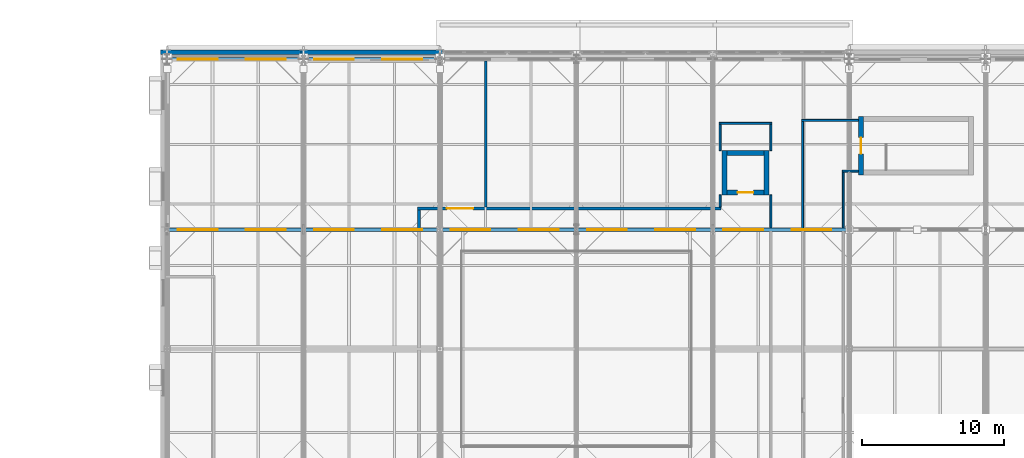
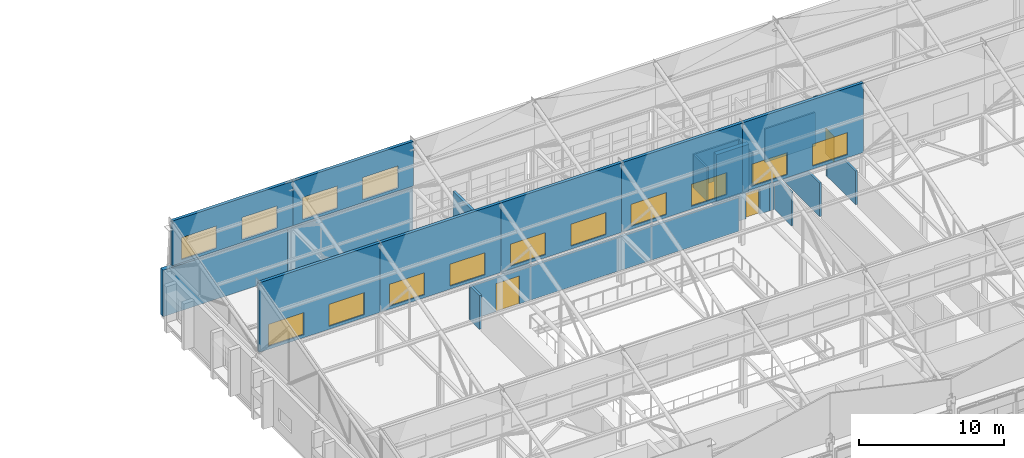
# One storey, part 81 of 89: 26 walls, 14 windows, 3 doors, 17 openings.
"""IFC4 building model written with IfcOpenShell, lengths in metres."""

from ifc_helpers import new_model, si_unit, direction, frame, frame_2d, origin, place, context, subcontext, project, spatial, rectangle, extrude, material, layer, layer_set, type_object, element, fill, save


model = new_model("IFC4")

# Units and contexts
model_context = context("Model", 3, precision=1e-05, world=origin(), true_north=direction((0.0, 1.0)))
body_context = subcontext(model_context, "Body", "Model", "MODEL_VIEW")
ifc_project = project(units=[si_unit("LENGTHUNIT", "METRE"), si_unit("AREAUNIT", "SQUARE_METRE"), si_unit("VOLUMEUNIT", "CUBIC_METRE"), si_unit("PLANEANGLEUNIT", "RADIAN"), si_unit("MASSUNIT", "GRAM", prefix="KILO")], contexts=[model_context])

# Site, building, storey
site_placement = place(None, origin())
site = spatial("IfcSite", under=ifc_project, at=site_placement, CompositionType="ELEMENT")
building_placement = place(site_placement, origin())
building = spatial("IfcBuilding", under=site, at=building_placement, Name="Zereglee Splitstone Museum", CompositionType="ELEMENT")
storey_placement = place(building_placement, frame((0.0, 0.0, 21.300048828125)))
storey = spatial("IfcBuildingStorey", under=building, at=storey_placement, Name="L04", CompositionType="ELEMENT", Elevation=21.300048828125)

# Wall, opening, door
ifc_material_1 = material(Name="Concrete C45/55", Category="concrete")
ifc_layer_1 = layer(ifc_material_1, 0.360107421875)
ifc_layer_set_1 = layer_set([ifc_layer_1], Name="Concrete C45/55")
wall_type_1 = type_object("IfcWallType", Name="CSW-02", PredefinedType="SHEAR", material=ifc_layer_set_1)
wall_1_placement = place(storey_placement, frame((126.820068359375, 42.239990234375, 0.0), z_axis=(0.0, 0.0, 1.0), x_axis=(0.0, 1.0, 0.0)))
wall_1 = element("IfcWall", 1, at=wall_1_placement, inside=storey, type_object=wall_type_1, Name="Stair Core Shear Wall ST-03 L04 West", PredefinedType="SHEAR", context=body_context, shape_type="SweptSolid", body=[
    extrude(rectangle(XDim=4.1201171875, YDim=0.360107421875, at=frame_2d((2.06005859375, 0.0))), origin(), (0.0, 0.0, 1.0), 3.949951171875),
])
opening_1_placement = place(wall_1_placement, frame((1.485107421875, 0.0, 0.0)))
opening_1 = element("IfcOpeningElement", 2, at=opening_1_placement, cuts=wall_1, Name="Opening ID-03", PredefinedType="OPENING", context=body_context, shape_type="SweptSolid", body=[
    extrude(rectangle(XDim=1.14990234375, YDim=2.14990234375, at=frame_2d((0.574951171875, 1.074951171875))), frame((0.0, 0.19482421875, 0.0), z_axis=(0.0, -1.0, 0.0), x_axis=(1.0, 0.0, 0.0)), (0.0, 0.0, 1.0), 0.389892578125),
])
ifc_material_2 = material(Name="Fire-rated steel and Siberian larch leaf", Category="steel")
door_type_1 = type_object("IfcDoorType", Name="ID-03", OperationType="NOTDEFINED", PredefinedType="DOOR", material=ifc_material_2)
door_1_placement = place(opening_1_placement, origin())
door_1 = element("IfcDoor", 3, at=door_1_placement, inside=storey, type_object=door_type_1, Name="Protected Stair Fire Door ST-03 L04", OperationType="SINGLE_SWING_RIGHT", OverallHeight=2.14990234375, OverallWidth=1.14990234375, PredefinedType="DOOR", context=body_context, shape_type="SweptSolid", body=[
    extrude(rectangle(XDim=1.14990234375, YDim=2.14990234375, at=frame_2d((0.574951171875, 1.074951171875))), frame((0.0, 0.02490234375, 0.0), z_axis=(0.0, -1.0, 0.0), x_axis=(1.0, 0.0, 0.0)), (0.0, 0.0, 1.0), 0.050048828125),
])
fill(opening_1, door_1)

# Wall
wall_2_placement = place(storey_placement, frame((117.39990234375, 43.780029296875, 0.0), z_axis=(0.0, 0.0, 1.0), x_axis=(1.0, 0.0, 0.0)))
element("IfcWall", 4, at=wall_2_placement, inside=storey, type_object=wall_type_1, Name="Lift Shaft Wall PL-02 L04 North", PredefinedType="SHEAR", context=body_context, shape_type="SweptSolid", body=[
    extrude(rectangle(XDim=2.60009765625, YDim=0.360107421875, at=frame_2d((1.300048828125, 0.0))), origin(), (0.0, 0.0, 1.0), 3.949951171875),
])

# Wall, opening, door
wall_3_placement = place(storey_placement, frame((117.39990234375, 41.02001953125, 0.0), z_axis=(0.0, 0.0, 1.0), x_axis=(1.0, 0.0, 0.0)))
wall_3 = element("IfcWall", 5, at=wall_3_placement, inside=storey, type_object=wall_type_1, Name="Lift Shaft Wall PL-02 L04 South", PredefinedType="SHEAR", context=body_context, shape_type="SweptSolid", body=[
    extrude(rectangle(XDim=2.60009765625, YDim=0.360107421875, at=frame_2d((1.300048828125, 0.0))), origin(), (0.0, 0.0, 1.0), 3.949951171875),
])
opening_2_placement = place(wall_3_placement, frame((0.75, 0.0, 0.0)))
opening_2 = element("IfcOpeningElement", 6, at=opening_2_placement, cuts=wall_3, Name="Opening LD-01", PredefinedType="OPENING", context=body_context, shape_type="SweptSolid", body=[
    extrude(rectangle(XDim=1.10009765625, YDim=2.14990234375, at=frame_2d((0.550048828125, 1.074951171875))), frame((0.0, 0.19482421875, 0.0), z_axis=(0.0, -1.0, 0.0), x_axis=(1.0, 0.0, 0.0)), (0.0, 0.0, 1.0), 0.389892578125),
])
door_type_2 = type_object("IfcDoorType", Name="LD-01", OperationType="DOUBLE_DOOR_SLIDING", PredefinedType="DOOR", material=ifc_material_2)
door_2_placement = place(opening_2_placement, origin())
door_2 = element("IfcDoor", 7, at=door_2_placement, inside=storey, type_object=door_type_2, Name="Lift Landing Sliding Door PL-02 L04", OperationType="DOUBLE_DOOR_SLIDING", OverallHeight=2.14990234375, OverallWidth=1.10009765625, PredefinedType="DOOR", context=body_context, shape_type="SweptSolid", body=[
    extrude(rectangle(XDim=1.10009765625, YDim=2.14990234375, at=frame_2d((0.550048828125, 1.074951171875))), frame((0.0, 0.02490234375, 0.0), z_axis=(0.0, -1.0, 0.0), x_axis=(1.0, 0.0, 0.0)), (0.0, 0.0, 1.0), 0.050048828125),
])
fill(opening_2, door_2)

# Walls
for number, where, z_axis, x_axis, name in (
    (8, (117.219970703125, 40.840087890625, 0.0), (0.0, 0.0, 1.0), (0.0, 1.0, 0.0), "Lift Shaft Wall PL-02 L04 West"),
    (9, (120.179931640625, 40.840087890625, 0.0), (0.0, 0.0, 1.0), (0.0, 1.0, 0.0), "Lift Shaft Wall PL-02 L04 East"),
):
    element("IfcWall", number, at=place(storey_placement, frame(where, z_axis=z_axis, x_axis=x_axis)), inside=storey, type_object=wall_type_1, Name=name, PredefinedType="SHEAR", context=body_context, shape_type="SweptSolid", body=[
        extrude(rectangle(XDim=3.119873046875, YDim=0.360107421875, at=frame_2d((1.56005859375, 0.0))), origin(), (0.0, 0.0, 1.0), 3.949951171875),
    ])
ifc_material_3 = material(Name="Precast concrete C40/50", Category="concrete")
ifc_layer_2 = layer(ifc_material_3, 0.35009765625)
ifc_layer_set_2 = layer_set([ifc_layer_2], Name="Precast concrete C40/50")
wall_type_2 = type_object("IfcWallType", Name="EW-01", PredefinedType="STANDARD", material=ifc_layer_set_2)
wall_4_placement = place(storey_placement, frame((97.3798828125, 50.8798828125, 0.0), z_axis=(0.0, 0.0, 1.0), x_axis=(-1.0, 0.0, 0.0)))
element("IfcWall", 10, at=wall_4_placement, inside=storey, type_object=wall_type_2, Name="Exterior Backup Wall RC4-EW-L04-0232", PredefinedType="STANDARD", context=body_context, shape_type="SweptSolid", body=[
    extrude(rectangle(XDim=9.9599609375, YDim=0.35009765625, at=frame_2d((4.97998046875, 0.0))), origin(), (0.0, 0.0, 1.0), 3.89990234375),
])
wall_5_placement = place(storey_placement, frame((87.780029296875, 50.8798828125, 0.0), z_axis=(0.0, 0.0, 1.0), x_axis=(-1.0, 0.0, 0.0)))
element("IfcWall", 11, at=wall_5_placement, inside=storey, type_object=wall_type_2, Name="Exterior Backup Wall RC4-EW-L04-0233", PredefinedType="STANDARD", context=body_context, shape_type="SweptSolid", body=[
    extrude(rectangle(XDim=10.239990234375, YDim=0.35009765625, at=frame_2d((5.1201171875, 0.0))), origin(), (0.0, 0.0, 1.0), 3.89990234375),
])
ifc_material_4 = material(Name="Fire-rated gypsum board partition", Category="masonry")
ifc_layer_3 = layer(ifc_material_4, 0.139892578125)
ifc_layer_set_3 = layer_set([ifc_layer_3], Name="Fire-rated gypsum board partition")
wall_type_3 = type_object("IfcWallType", Name="IW-05", PredefinedType="PARTITIONING", material=ifc_layer_set_3)
wall_6_placement = place(storey_placement, frame((125.510009765625, 42.52001953125, 0.0), z_axis=(0.0, 0.0, 1.0), x_axis=(1.0, 0.0, 0.0)))
element("IfcWall", 12, at=wall_6_placement, inside=storey, type_object=wall_type_3, Name="Interior Partition L04-0654 (Curatorial Study Room)", PredefinedType="PARTITIONING", context=body_context, shape_type="SweptSolid", body=[
    extrude(rectangle(XDim=1.1298828125, YDim=0.139892578125, at=frame_2d((0.56494140625, 0.0))), origin(), (0.0, 0.0, 1.0), 2.829833984375),
])
wall_7_placement = place(storey_placement, frame((116.85009765625, 45.8798828125, 0.0), z_axis=(0.0, 0.0, 1.0), x_axis=(1.0, 0.0, 0.0)))
element("IfcWall", 13, at=wall_7_placement, inside=storey, type_object=wall_type_3, Name="Interior Partition L04-0655 (Research Reading Room)", PredefinedType="PARTITIONING", context=body_context, shape_type="SweptSolid", body=[
    extrude(rectangle(XDim=3.699951171875, YDim=0.139892578125, at=frame_2d((1.85009765625, 0.0))), origin(), (0.0, 0.0, 1.0), 2.829833984375),
])
wall_8_placement = place(storey_placement, frame((122.64990234375, 46.080078125, 0.0), z_axis=(0.0, 0.0, 1.0), x_axis=(1.0, 0.0, 0.0)))
element("IfcWall", 14, at=wall_8_placement, inside=storey, type_object=wall_type_3, Name="Interior Partition L04-0656 (Curatorial Study Room)", PredefinedType="PARTITIONING", context=body_context, shape_type="SweptSolid", body=[
    extrude(rectangle(XDim=3.989990234375, YDim=0.139892578125, at=frame_2d((1.9951171875, 0.0))), origin(), (0.0, 0.0, 1.0), 2.829833984375),
])
wall_9_placement = place(storey_placement, frame((116.919921875, 39.97509765625, 0.0), z_axis=(0.0, 0.0, 1.0), x_axis=(0.0, 1.0, 0.0)))
element("IfcWall", 15, at=wall_9_placement, inside=storey, type_object=wall_type_3, Name="Interior Partition L04-0681 (Research Reading Room)", PredefinedType="PARTITIONING", context=body_context, shape_type="SweptSolid", body=[
    extrude(rectangle(XDim=0.864990234375, YDim=0.139892578125, at=frame_2d((0.4326171875, 0.0))), origin(), (0.0, 0.0, 1.0), 2.829833984375),
])
wall_10_placement = place(storey_placement, frame((116.919921875, 43.9599609375, 0.0), z_axis=(0.0, 0.0, 1.0), x_axis=(0.0, 1.0, 0.0)))
element("IfcWall", 16, at=wall_10_placement, inside=storey, type_object=wall_type_3, Name="Interior Partition L04-0682 (Research Reading Room)", PredefinedType="PARTITIONING", context=body_context, shape_type="SweptSolid", body=[
    extrude(rectangle(XDim=1.85009765625, YDim=0.139892578125, at=frame_2d((0.925048828125, 0.0))), origin(), (0.0, 0.0, 1.0), 2.829833984375),
])
wall_11_placement = place(storey_placement, frame((120.47998046875, 38.52001953125, 0.0), z_axis=(0.0, 0.0, 1.0), x_axis=(0.0, 1.0, 0.0)))
element("IfcWall", 17, at=wall_11_placement, inside=storey, type_object=wall_type_3, Name="Interior Partition L04-0685 (Research Reading Room)", PredefinedType="PARTITIONING", context=body_context, shape_type="SweptSolid", body=[
    extrude(rectangle(XDim=2.320068359375, YDim=0.139892578125, at=frame_2d((1.16015625, 0.0))), origin(), (0.0, 0.0, 1.0), 2.829833984375),
])
wall_12_placement = place(storey_placement, frame((120.47998046875, 43.9599609375, 0.0), z_axis=(0.0, 0.0, 1.0), x_axis=(0.0, 1.0, 0.0)))
element("IfcWall", 18, at=wall_12_placement, inside=storey, type_object=wall_type_3, Name="Interior Partition L04-0686 (Research Reading Room)", PredefinedType="PARTITIONING", context=body_context, shape_type="SweptSolid", body=[
    extrude(rectangle(XDim=1.85009765625, YDim=0.139892578125, at=frame_2d((0.925048828125, 0.0))), origin(), (0.0, 0.0, 1.0), 2.829833984375),
])
wall_13_placement = place(storey_placement, frame((122.719970703125, 38.52001953125, 0.0), z_axis=(0.0, 0.0, 1.0), x_axis=(0.0, 1.0, 0.0)))
element("IfcWall", 19, at=wall_13_placement, inside=storey, type_object=wall_type_3, Name="Interior Partition L04-0689 (Research Reading Room)", PredefinedType="PARTITIONING", context=body_context, shape_type="SweptSolid", body=[
    extrude(rectangle(XDim=7.489990234375, YDim=0.139892578125, at=frame_2d((3.7451171875, 0.0))), origin(), (0.0, 0.0, 1.0), 2.829833984375),
])
wall_14_placement = place(storey_placement, frame((125.580078125, 38.52001953125, 0.0), z_axis=(0.0, 0.0, 1.0), x_axis=(0.0, 1.0, 0.0)))
element("IfcWall", 20, at=wall_14_placement, inside=storey, type_object=wall_type_3, Name="Interior Partition L04-0693 (Curatorial Study Room)", PredefinedType="PARTITIONING", context=body_context, shape_type="SweptSolid", body=[
    extrude(rectangle(XDim=3.929931640625, YDim=0.139892578125, at=frame_2d((1.96484375, 0.0))), origin(), (0.0, 0.0, 1.0), 2.829833984375),
])

# Wall, opening, door
ifc_material_5 = material(Name="Gypsum board on acoustic steel stud", Category="steel")
ifc_layer_4 = layer(ifc_material_5, 0.18994140625)
ifc_layer_set_4 = layer_set([ifc_layer_4], Name="Gypsum board on acoustic steel stud")
wall_type_4 = type_object("IfcWallType", Name="IW-02", PredefinedType="PARTITIONING", material=ifc_layer_set_4)
wall_15_placement = place(storey_placement, frame((95.625, 39.8798828125, 0.0), z_axis=(0.0, 0.0, 1.0), x_axis=(1.0, 0.0, 0.0)))
wall_15 = element("IfcWall", 21, at=wall_15_placement, inside=storey, type_object=wall_type_4, Name="Interior Partition L04-0653 (Temporary Exhibition Gallery)", PredefinedType="PARTITIONING", context=body_context, shape_type="SweptSolid", body=[
    extrude(rectangle(XDim=21.364990234375, YDim=0.18994140625, at=frame_2d((10.6826171875, 0.0))), origin(), (0.0, 0.0, 1.0), 2.829833984375),
])
opening_3_placement = place(wall_15_placement, frame((2.066162109375, 0.0, 0.0)))
opening_3 = element("IfcOpeningElement", 22, at=opening_3_placement, cuts=wall_15, Name="Opening ID-02", PredefinedType="OPENING", context=body_context, shape_type="SweptSolid", body=[
    extrude(rectangle(XDim=1.85009765625, YDim=2.35009765625, at=frame_2d((0.925048828125, 1.175048828125))), frame((0.0, 0.10986328125, 0.0), z_axis=(0.0, -1.0, 0.0), x_axis=(1.0, 0.0, 0.0)), (0.0, 0.0, 1.0), 0.2197265625),
])
door_type_3 = type_object("IfcDoorType", Name="ID-02", OperationType="NOTDEFINED", PredefinedType="DOOR", material=ifc_material_2)
door_3_placement = place(opening_3_placement, origin())
door_3 = element("IfcDoor", 23, at=door_3_placement, inside=storey, type_object=door_type_3, Name="Interior Door L04-0113 (Temporary Exhibition Gallery)", OperationType="DOUBLE_DOOR_SINGLE_SWING", OverallHeight=2.35009765625, OverallWidth=1.85009765625, PredefinedType="DOOR", context=body_context, shape_type="SweptSolid", body=[
    extrude(rectangle(XDim=1.85009765625, YDim=2.35009765625, at=frame_2d((0.925048828125, 1.175048828125))), frame((0.0, 0.02490234375, 0.0), z_axis=(0.0, -1.0, 0.0), x_axis=(1.0, 0.0, 0.0)), (0.0, 0.0, 1.0), 0.050048828125),
])
fill(opening_3, door_3)

# Walls
wall_16_placement = place(storey_placement, frame((95.719970703125, 38.52001953125, 0.0), z_axis=(0.0, 0.0, 1.0), x_axis=(0.0, 1.0, 0.0)))
element("IfcWall", 24, at=wall_16_placement, inside=storey, type_object=wall_type_4, Name="Interior Partition L04-0678 (Temporary Exhibition Gallery)", PredefinedType="PARTITIONING", context=body_context, shape_type="SweptSolid", body=[
    extrude(rectangle(XDim=1.264892578125, YDim=0.18994140625, at=frame_2d((0.63232421875, 0.0))), origin(), (0.0, 0.0, 1.0), 2.829833984375),
])
wall_17_placement = place(storey_placement, frame((100.419921875, 39.97509765625, 0.0), z_axis=(0.0, 0.0, 1.0), x_axis=(0.0, 1.0, 0.0)))
element("IfcWall", 25, at=wall_17_placement, inside=storey, type_object=wall_type_4, Name="Interior Partition L04-0679 (Temporary Exhibition Gallery)", PredefinedType="PARTITIONING", context=body_context, shape_type="SweptSolid", body=[
    extrude(rectangle(XDim=10.304931640625, YDim=0.18994140625, at=frame_2d((5.15234375, 0.0))), origin(), (0.0, 0.0, 1.0), 2.829833984375),
])

# Wall, openings, windows
ifc_layer_5 = layer(ifc_material_3, 0.239990234375)
ifc_layer_set_5 = layer_set([ifc_layer_5], Name="Precast concrete C40/50")
wall_type_5 = type_object("IfcWallType", Name="EW-04", PredefinedType="STANDARD", material=ifc_layer_set_5)
wall_18_placement = place(storey_placement, frame((78.0, 38.39990234375, 4.3798828125), z_axis=(0.0, 0.0, 1.0), x_axis=(1.0, 0.0, 0.0)))
wall_18 = element("IfcWall", 26, at=wall_18_placement, inside=storey, type_object=wall_type_5, Name="North-Light Monitor Wall B1-S2", PredefinedType="STANDARD", context=body_context, shape_type="SweptSolid", body=[
    extrude(rectangle(XDim=9.60009765625, YDim=0.239990234375, at=frame_2d((4.800048828125, 0.0))), origin(), (0.0, 0.0, 1.0), 5.840087890625),
])
opening_4_placement = place(wall_18_placement, frame((0.75, 0.0, 0.25)))
opening_4 = element("IfcOpeningElement", 27, at=opening_4_placement, cuts=wall_18, Name="Opening SK-01", PredefinedType="OPENING", context=body_context, shape_type="SweptSolid", body=[
    extrude(rectangle(XDim=2.800048828125, YDim=1.85009765625, at=frame_2d((1.39990234375, 0.925048828125))), frame((0.0, 0.134765625, 0.0), z_axis=(0.0, -1.0, 0.0), x_axis=(1.0, 0.0, 0.0)), (0.0, 0.0, 1.0), 0.269775390625),
])
opening_5_placement = place(wall_18_placement, frame((5.550048828125, 0.0, 0.25)))
opening_5 = element("IfcOpeningElement", 28, at=opening_5_placement, cuts=wall_18, Name="Opening SK-01", PredefinedType="OPENING", context=body_context, shape_type="SweptSolid", body=[
    extrude(rectangle(XDim=2.800048828125, YDim=1.85009765625, at=frame_2d((1.39990234375, 0.925048828125))), frame((0.0, 0.134765625, 0.0), z_axis=(0.0, -1.0, 0.0), x_axis=(1.0, 0.0, 0.0)), (0.0, 0.0, 1.0), 0.269775390625),
])
ifc_material_6 = material(Name="Thermally broken aluminium frame with triple low-e glazing", Category="aluminium")
window_type = type_object("IfcWindowType", Name="SK-01", PartitioningType="TRIPLE_PANEL_VERTICAL", PredefinedType="SKYLIGHT", material=ifc_material_6)
window_1_placement = place(opening_4_placement, origin())
window_1 = element("IfcWindow", 29, at=window_1_placement, inside=storey, type_object=window_type, Name="North-Light Sawtooth Skylight B1-S2-1", OverallHeight=1.85009765625, OverallWidth=2.800048828125, PartitioningType="SINGLE_PANEL", PredefinedType="SKYLIGHT", context=body_context, shape_type="SweptSolid", body=[
    extrude(rectangle(XDim=2.800048828125, YDim=1.85009765625, at=frame_2d((1.39990234375, 0.925048828125))), frame((0.0, 0.030029296875, 0.0), z_axis=(0.0, -1.0, 0.0), x_axis=(1.0, 0.0, 0.0)), (0.0, 0.0, 1.0), 0.06005859375),
])
fill(opening_4, window_1)
window_2_placement = place(opening_5_placement, origin())
window_2 = element("IfcWindow", 30, at=window_2_placement, inside=storey, type_object=window_type, Name="North-Light Sawtooth Skylight B1-S2-2", OverallHeight=1.85009765625, OverallWidth=2.800048828125, PartitioningType="SINGLE_PANEL", PredefinedType="SKYLIGHT", context=body_context, shape_type="SweptSolid", body=[
    extrude(rectangle(XDim=2.800048828125, YDim=1.85009765625, at=frame_2d((1.39990234375, 0.925048828125))), frame((0.0, 0.030029296875, 0.0), z_axis=(0.0, -1.0, 0.0), x_axis=(1.0, 0.0, 0.0)), (0.0, 0.0, 1.0), 0.06005859375),
])
fill(opening_5, window_2)

wall_19_placement = place(storey_placement, frame((78.0, 50.39990234375, 4.3798828125), z_axis=(0.0, 0.0, 1.0), x_axis=(1.0, 0.0, 0.0)))
wall_19 = element("IfcWall", 31, at=wall_19_placement, inside=storey, type_object=wall_type_5, Name="North-Light Monitor Wall B1-S3", PredefinedType="STANDARD", context=body_context, shape_type="SweptSolid", body=[
    extrude(rectangle(XDim=9.60009765625, YDim=0.239990234375, at=frame_2d((4.800048828125, 0.0))), origin(), (0.0, 0.0, 1.0), 3.739990234375),
])
opening_6_placement = place(wall_19_placement, frame((0.75, 0.0, 0.25)))
opening_6 = element("IfcOpeningElement", 32, at=opening_6_placement, cuts=wall_19, Name="Opening SK-01", PredefinedType="OPENING", context=body_context, shape_type="SweptSolid", body=[
    extrude(rectangle(XDim=2.800048828125, YDim=1.85009765625, at=frame_2d((1.39990234375, 0.925048828125))), frame((0.0, 0.134765625, 0.0), z_axis=(0.0, -1.0, 0.0), x_axis=(1.0, 0.0, 0.0)), (0.0, 0.0, 1.0), 0.269775390625),
])
opening_7_placement = place(wall_19_placement, frame((5.550048828125, 0.0, 0.25)))
opening_7 = element("IfcOpeningElement", 33, at=opening_7_placement, cuts=wall_19, Name="Opening SK-01", PredefinedType="OPENING", context=body_context, shape_type="SweptSolid", body=[
    extrude(rectangle(XDim=2.800048828125, YDim=1.85009765625, at=frame_2d((1.39990234375, 0.925048828125))), frame((0.0, 0.134765625, 0.0), z_axis=(0.0, -1.0, 0.0), x_axis=(1.0, 0.0, 0.0)), (0.0, 0.0, 1.0), 0.269775390625),
])
window_3_placement = place(opening_6_placement, origin())
window_3 = element("IfcWindow", 34, at=window_3_placement, inside=storey, type_object=window_type, Name="North-Light Sawtooth Skylight B1-S3-1", OverallHeight=1.85009765625, OverallWidth=2.800048828125, PartitioningType="SINGLE_PANEL", PredefinedType="SKYLIGHT", context=body_context, shape_type="SweptSolid", body=[
    extrude(rectangle(XDim=2.800048828125, YDim=1.85009765625, at=frame_2d((1.39990234375, 0.925048828125))), frame((0.0, 0.030029296875, 0.0), z_axis=(0.0, -1.0, 0.0), x_axis=(1.0, 0.0, 0.0)), (0.0, 0.0, 1.0), 0.06005859375),
])
fill(opening_6, window_3)
window_4_placement = place(opening_7_placement, origin())
window_4 = element("IfcWindow", 35, at=window_4_placement, inside=storey, type_object=window_type, Name="North-Light Sawtooth Skylight B1-S3-2", OverallHeight=1.85009765625, OverallWidth=2.800048828125, PartitioningType="SINGLE_PANEL", PredefinedType="SKYLIGHT", context=body_context, shape_type="SweptSolid", body=[
    extrude(rectangle(XDim=2.800048828125, YDim=1.85009765625, at=frame_2d((1.39990234375, 0.925048828125))), frame((0.0, 0.030029296875, 0.0), z_axis=(0.0, -1.0, 0.0), x_axis=(1.0, 0.0, 0.0)), (0.0, 0.0, 1.0), 0.06005859375),
])
fill(opening_7, window_4)

wall_20_placement = place(storey_placement, frame((87.60009765625, 38.39990234375, 4.3798828125), z_axis=(0.0, 0.0, 1.0), x_axis=(1.0, 0.0, 0.0)))
wall_20 = element("IfcWall", 36, at=wall_20_placement, inside=storey, type_object=wall_type_5, Name="North-Light Monitor Wall B2-S2", PredefinedType="STANDARD", context=body_context, shape_type="SweptSolid", body=[
    extrude(rectangle(XDim=9.599853515625, YDim=0.239990234375, at=frame_2d((4.7998046875, 0.0))), origin(), (0.0, 0.0, 1.0), 5.840087890625),
])
opening_8_placement = place(wall_20_placement, frame((0.75, 0.0, 0.25)))
opening_8 = element("IfcOpeningElement", 37, at=opening_8_placement, cuts=wall_20, Name="Opening SK-01", PredefinedType="OPENING", context=body_context, shape_type="SweptSolid", body=[
    extrude(rectangle(XDim=2.800048828125, YDim=1.85009765625, at=frame_2d((1.39990234375, 0.925048828125))), frame((0.0, 0.134765625, 0.0), z_axis=(0.0, -1.0, 0.0), x_axis=(1.0, 0.0, 0.0)), (0.0, 0.0, 1.0), 0.269775390625),
])
opening_9_placement = place(wall_20_placement, frame((5.550048828125, 0.0, 0.25)))
opening_9 = element("IfcOpeningElement", 38, at=opening_9_placement, cuts=wall_20, Name="Opening SK-01", PredefinedType="OPENING", context=body_context, shape_type="SweptSolid", body=[
    extrude(rectangle(XDim=2.800048828125, YDim=1.85009765625, at=frame_2d((1.39990234375, 0.925048828125))), frame((0.0, 0.134765625, 0.0), z_axis=(0.0, -1.0, 0.0), x_axis=(1.0, 0.0, 0.0)), (0.0, 0.0, 1.0), 0.269775390625),
])
window_5_placement = place(opening_8_placement, origin())
window_5 = element("IfcWindow", 39, at=window_5_placement, inside=storey, type_object=window_type, Name="North-Light Sawtooth Skylight B2-S2-1", OverallHeight=1.85009765625, OverallWidth=2.800048828125, PartitioningType="SINGLE_PANEL", PredefinedType="SKYLIGHT", context=body_context, shape_type="SweptSolid", body=[
    extrude(rectangle(XDim=2.800048828125, YDim=1.85009765625, at=frame_2d((1.39990234375, 0.925048828125))), frame((0.0, 0.030029296875, 0.0), z_axis=(0.0, -1.0, 0.0), x_axis=(1.0, 0.0, 0.0)), (0.0, 0.0, 1.0), 0.06005859375),
])
fill(opening_8, window_5)
window_6_placement = place(opening_9_placement, origin())
window_6 = element("IfcWindow", 40, at=window_6_placement, inside=storey, type_object=window_type, Name="North-Light Sawtooth Skylight B2-S2-2", OverallHeight=1.85009765625, OverallWidth=2.800048828125, PartitioningType="SINGLE_PANEL", PredefinedType="SKYLIGHT", context=body_context, shape_type="SweptSolid", body=[
    extrude(rectangle(XDim=2.800048828125, YDim=1.85009765625, at=frame_2d((1.39990234375, 0.925048828125))), frame((0.0, 0.030029296875, 0.0), z_axis=(0.0, -1.0, 0.0), x_axis=(1.0, 0.0, 0.0)), (0.0, 0.0, 1.0), 0.06005859375),
])
fill(opening_9, window_6)

wall_21_placement = place(storey_placement, frame((87.60009765625, 50.39990234375, 4.3798828125), z_axis=(0.0, 0.0, 1.0), x_axis=(1.0, 0.0, 0.0)))
wall_21 = element("IfcWall", 41, at=wall_21_placement, inside=storey, type_object=wall_type_5, Name="North-Light Monitor Wall B2-S3", PredefinedType="STANDARD", context=body_context, shape_type="SweptSolid", body=[
    extrude(rectangle(XDim=9.599853515625, YDim=0.239990234375, at=frame_2d((4.7998046875, 0.0))), origin(), (0.0, 0.0, 1.0), 3.739990234375),
])
opening_10_placement = place(wall_21_placement, frame((0.75, 0.0, 0.25)))
opening_10 = element("IfcOpeningElement", 42, at=opening_10_placement, cuts=wall_21, Name="Opening SK-01", PredefinedType="OPENING", context=body_context, shape_type="SweptSolid", body=[
    extrude(rectangle(XDim=2.800048828125, YDim=1.85009765625, at=frame_2d((1.39990234375, 0.925048828125))), frame((0.0, 0.134765625, 0.0), z_axis=(0.0, -1.0, 0.0), x_axis=(1.0, 0.0, 0.0)), (0.0, 0.0, 1.0), 0.269775390625),
])
opening_11_placement = place(wall_21_placement, frame((5.550048828125, 0.0, 0.25)))
opening_11 = element("IfcOpeningElement", 43, at=opening_11_placement, cuts=wall_21, Name="Opening SK-01", PredefinedType="OPENING", context=body_context, shape_type="SweptSolid", body=[
    extrude(rectangle(XDim=2.800048828125, YDim=1.85009765625, at=frame_2d((1.39990234375, 0.925048828125))), frame((0.0, 0.134765625, 0.0), z_axis=(0.0, -1.0, 0.0), x_axis=(1.0, 0.0, 0.0)), (0.0, 0.0, 1.0), 0.269775390625),
])
window_7_placement = place(opening_10_placement, origin())
window_7 = element("IfcWindow", 44, at=window_7_placement, inside=storey, type_object=window_type, Name="North-Light Sawtooth Skylight B2-S3-1", OverallHeight=1.85009765625, OverallWidth=2.800048828125, PartitioningType="SINGLE_PANEL", PredefinedType="SKYLIGHT", context=body_context, shape_type="SweptSolid", body=[
    extrude(rectangle(XDim=2.800048828125, YDim=1.85009765625, at=frame_2d((1.39990234375, 0.925048828125))), frame((0.0, 0.030029296875, 0.0), z_axis=(0.0, -1.0, 0.0), x_axis=(1.0, 0.0, 0.0)), (0.0, 0.0, 1.0), 0.06005859375),
])
fill(opening_10, window_7)
window_8_placement = place(opening_11_placement, origin())
window_8 = element("IfcWindow", 45, at=window_8_placement, inside=storey, type_object=window_type, Name="North-Light Sawtooth Skylight B2-S3-2", OverallHeight=1.85009765625, OverallWidth=2.800048828125, PartitioningType="SINGLE_PANEL", PredefinedType="SKYLIGHT", context=body_context, shape_type="SweptSolid", body=[
    extrude(rectangle(XDim=2.800048828125, YDim=1.85009765625, at=frame_2d((1.39990234375, 0.925048828125))), frame((0.0, 0.030029296875, 0.0), z_axis=(0.0, -1.0, 0.0), x_axis=(1.0, 0.0, 0.0)), (0.0, 0.0, 1.0), 0.06005859375),
])
fill(opening_11, window_8)

wall_22_placement = place(storey_placement, frame((97.199951171875, 38.39990234375, 4.3798828125), z_axis=(0.0, 0.0, 1.0), x_axis=(1.0, 0.0, 0.0)))
wall_22 = element("IfcWall", 46, at=wall_22_placement, inside=storey, type_object=wall_type_5, Name="North-Light Monitor Wall B3-S2", PredefinedType="STANDARD", context=body_context, shape_type="SweptSolid", body=[
    extrude(rectangle(XDim=9.60009765625, YDim=0.239990234375, at=frame_2d((4.800048828125, 0.0))), origin(), (0.0, 0.0, 1.0), 5.840087890625),
])
opening_12_placement = place(wall_22_placement, frame((0.75, 0.0, 0.25)))
opening_12 = element("IfcOpeningElement", 47, at=opening_12_placement, cuts=wall_22, Name="Opening SK-01", PredefinedType="OPENING", context=body_context, shape_type="SweptSolid", body=[
    extrude(rectangle(XDim=2.800048828125, YDim=1.85009765625, at=frame_2d((1.39990234375, 0.925048828125))), frame((0.0, 0.134765625, 0.0), z_axis=(0.0, -1.0, 0.0), x_axis=(1.0, 0.0, 0.0)), (0.0, 0.0, 1.0), 0.269775390625),
])
opening_13_placement = place(wall_22_placement, frame((5.550048828125, 0.0, 0.25)))
opening_13 = element("IfcOpeningElement", 48, at=opening_13_placement, cuts=wall_22, Name="Opening SK-01", PredefinedType="OPENING", context=body_context, shape_type="SweptSolid", body=[
    extrude(rectangle(XDim=2.800048828125, YDim=1.85009765625, at=frame_2d((1.39990234375, 0.925048828125))), frame((0.0, 0.134765625, 0.0), z_axis=(0.0, -1.0, 0.0), x_axis=(1.0, 0.0, 0.0)), (0.0, 0.0, 1.0), 0.269775390625),
])
window_9_placement = place(opening_12_placement, origin())
window_9 = element("IfcWindow", 49, at=window_9_placement, inside=storey, type_object=window_type, Name="North-Light Sawtooth Skylight B3-S2-1", OverallHeight=1.85009765625, OverallWidth=2.800048828125, PartitioningType="SINGLE_PANEL", PredefinedType="SKYLIGHT", context=body_context, shape_type="SweptSolid", body=[
    extrude(rectangle(XDim=2.800048828125, YDim=1.85009765625, at=frame_2d((1.39990234375, 0.925048828125))), frame((0.0, 0.030029296875, 0.0), z_axis=(0.0, -1.0, 0.0), x_axis=(1.0, 0.0, 0.0)), (0.0, 0.0, 1.0), 0.06005859375),
])
fill(opening_12, window_9)
window_10_placement = place(opening_13_placement, origin())
window_10 = element("IfcWindow", 50, at=window_10_placement, inside=storey, type_object=window_type, Name="North-Light Sawtooth Skylight B3-S2-2", OverallHeight=1.85009765625, OverallWidth=2.800048828125, PartitioningType="SINGLE_PANEL", PredefinedType="SKYLIGHT", context=body_context, shape_type="SweptSolid", body=[
    extrude(rectangle(XDim=2.800048828125, YDim=1.85009765625, at=frame_2d((1.39990234375, 0.925048828125))), frame((0.0, 0.030029296875, 0.0), z_axis=(0.0, -1.0, 0.0), x_axis=(1.0, 0.0, 0.0)), (0.0, 0.0, 1.0), 0.06005859375),
])
fill(opening_13, window_10)

wall_23_placement = place(storey_placement, frame((106.800048828125, 38.39990234375, 4.3798828125), z_axis=(0.0, 0.0, 1.0), x_axis=(1.0, 0.0, 0.0)))
wall_23 = element("IfcWall", 51, at=wall_23_placement, inside=storey, type_object=wall_type_5, Name="North-Light Monitor Wall B4-S2", PredefinedType="STANDARD", context=body_context, shape_type="SweptSolid", body=[
    extrude(rectangle(XDim=9.599853515625, YDim=0.239990234375, at=frame_2d((4.7998046875, 0.0))), origin(), (0.0, 0.0, 1.0), 5.840087890625),
])
opening_14_placement = place(wall_23_placement, frame((0.75, 0.0, 0.25)))
opening_14 = element("IfcOpeningElement", 52, at=opening_14_placement, cuts=wall_23, Name="Opening SK-01", PredefinedType="OPENING", context=body_context, shape_type="SweptSolid", body=[
    extrude(rectangle(XDim=2.800048828125, YDim=1.85009765625, at=frame_2d((1.39990234375, 0.925048828125))), frame((0.0, 0.134765625, 0.0), z_axis=(0.0, -1.0, 0.0), x_axis=(1.0, 0.0, 0.0)), (0.0, 0.0, 1.0), 0.269775390625),
])
opening_15_placement = place(wall_23_placement, frame((5.550048828125, 0.0, 0.25)))
opening_15 = element("IfcOpeningElement", 53, at=opening_15_placement, cuts=wall_23, Name="Opening SK-01", PredefinedType="OPENING", context=body_context, shape_type="SweptSolid", body=[
    extrude(rectangle(XDim=2.800048828125, YDim=1.85009765625, at=frame_2d((1.39990234375, 0.925048828125))), frame((0.0, 0.134765625, 0.0), z_axis=(0.0, -1.0, 0.0), x_axis=(1.0, 0.0, 0.0)), (0.0, 0.0, 1.0), 0.269775390625),
])
window_11_placement = place(opening_14_placement, origin())
window_11 = element("IfcWindow", 54, at=window_11_placement, inside=storey, type_object=window_type, Name="North-Light Sawtooth Skylight B4-S2-1", OverallHeight=1.85009765625, OverallWidth=2.800048828125, PartitioningType="SINGLE_PANEL", PredefinedType="SKYLIGHT", context=body_context, shape_type="SweptSolid", body=[
    extrude(rectangle(XDim=2.800048828125, YDim=1.85009765625, at=frame_2d((1.39990234375, 0.925048828125))), frame((0.0, 0.030029296875, 0.0), z_axis=(0.0, -1.0, 0.0), x_axis=(1.0, 0.0, 0.0)), (0.0, 0.0, 1.0), 0.06005859375),
])
fill(opening_14, window_11)
window_12_placement = place(opening_15_placement, origin())
window_12 = element("IfcWindow", 55, at=window_12_placement, inside=storey, type_object=window_type, Name="North-Light Sawtooth Skylight B4-S2-2", OverallHeight=1.85009765625, OverallWidth=2.800048828125, PartitioningType="SINGLE_PANEL", PredefinedType="SKYLIGHT", context=body_context, shape_type="SweptSolid", body=[
    extrude(rectangle(XDim=2.800048828125, YDim=1.85009765625, at=frame_2d((1.39990234375, 0.925048828125))), frame((0.0, 0.030029296875, 0.0), z_axis=(0.0, -1.0, 0.0), x_axis=(1.0, 0.0, 0.0)), (0.0, 0.0, 1.0), 0.06005859375),
])
fill(opening_15, window_12)

wall_24_placement = place(storey_placement, frame((116.39990234375, 38.39990234375, 4.3798828125), z_axis=(0.0, 0.0, 1.0), x_axis=(1.0, 0.0, 0.0)))
wall_24 = element("IfcWall", 56, at=wall_24_placement, inside=storey, type_object=wall_type_5, Name="North-Light Monitor Wall B5-S2", PredefinedType="STANDARD", context=body_context, shape_type="SweptSolid", body=[
    extrude(rectangle(XDim=9.60009765625, YDim=0.239990234375, at=frame_2d((4.800048828125, 0.0))), origin(), (0.0, 0.0, 1.0), 5.840087890625),
])
opening_16_placement = place(wall_24_placement, frame((0.75, 0.0, 0.25)))
opening_16 = element("IfcOpeningElement", 57, at=opening_16_placement, cuts=wall_24, Name="Opening SK-01", PredefinedType="OPENING", context=body_context, shape_type="SweptSolid", body=[
    extrude(rectangle(XDim=2.800048828125, YDim=1.85009765625, at=frame_2d((1.39990234375, 0.925048828125))), frame((0.0, 0.134765625, 0.0), z_axis=(0.0, -1.0, 0.0), x_axis=(1.0, 0.0, 0.0)), (0.0, 0.0, 1.0), 0.269775390625),
])
opening_17_placement = place(wall_24_placement, frame((5.550048828125, 0.0, 0.25)))
opening_17 = element("IfcOpeningElement", 58, at=opening_17_placement, cuts=wall_24, Name="Opening SK-01", PredefinedType="OPENING", context=body_context, shape_type="SweptSolid", body=[
    extrude(rectangle(XDim=2.800048828125, YDim=1.85009765625, at=frame_2d((1.39990234375, 0.925048828125))), frame((0.0, 0.134765625, 0.0), z_axis=(0.0, -1.0, 0.0), x_axis=(1.0, 0.0, 0.0)), (0.0, 0.0, 1.0), 0.269775390625),
])
window_13_placement = place(opening_16_placement, origin())
window_13 = element("IfcWindow", 59, at=window_13_placement, inside=storey, type_object=window_type, Name="North-Light Sawtooth Skylight B5-S2-1", OverallHeight=1.85009765625, OverallWidth=2.800048828125, PartitioningType="SINGLE_PANEL", PredefinedType="SKYLIGHT", context=body_context, shape_type="SweptSolid", body=[
    extrude(rectangle(XDim=2.800048828125, YDim=1.85009765625, at=frame_2d((1.39990234375, 0.925048828125))), frame((0.0, 0.030029296875, 0.0), z_axis=(0.0, -1.0, 0.0), x_axis=(1.0, 0.0, 0.0)), (0.0, 0.0, 1.0), 0.06005859375),
])
fill(opening_16, window_13)
window_14_placement = place(opening_17_placement, origin())
window_14 = element("IfcWindow", 60, at=window_14_placement, inside=storey, type_object=window_type, Name="North-Light Sawtooth Skylight B5-S2-2", OverallHeight=1.85009765625, OverallWidth=2.800048828125, PartitioningType="SINGLE_PANEL", PredefinedType="SKYLIGHT", context=body_context, shape_type="SweptSolid", body=[
    extrude(rectangle(XDim=2.800048828125, YDim=1.85009765625, at=frame_2d((1.39990234375, 0.925048828125))), frame((0.0, 0.030029296875, 0.0), z_axis=(0.0, -1.0, 0.0), x_axis=(1.0, 0.0, 0.0)), (0.0, 0.0, 1.0), 0.06005859375),
])
fill(opening_17, window_14)

save(model, "model.ifc")
